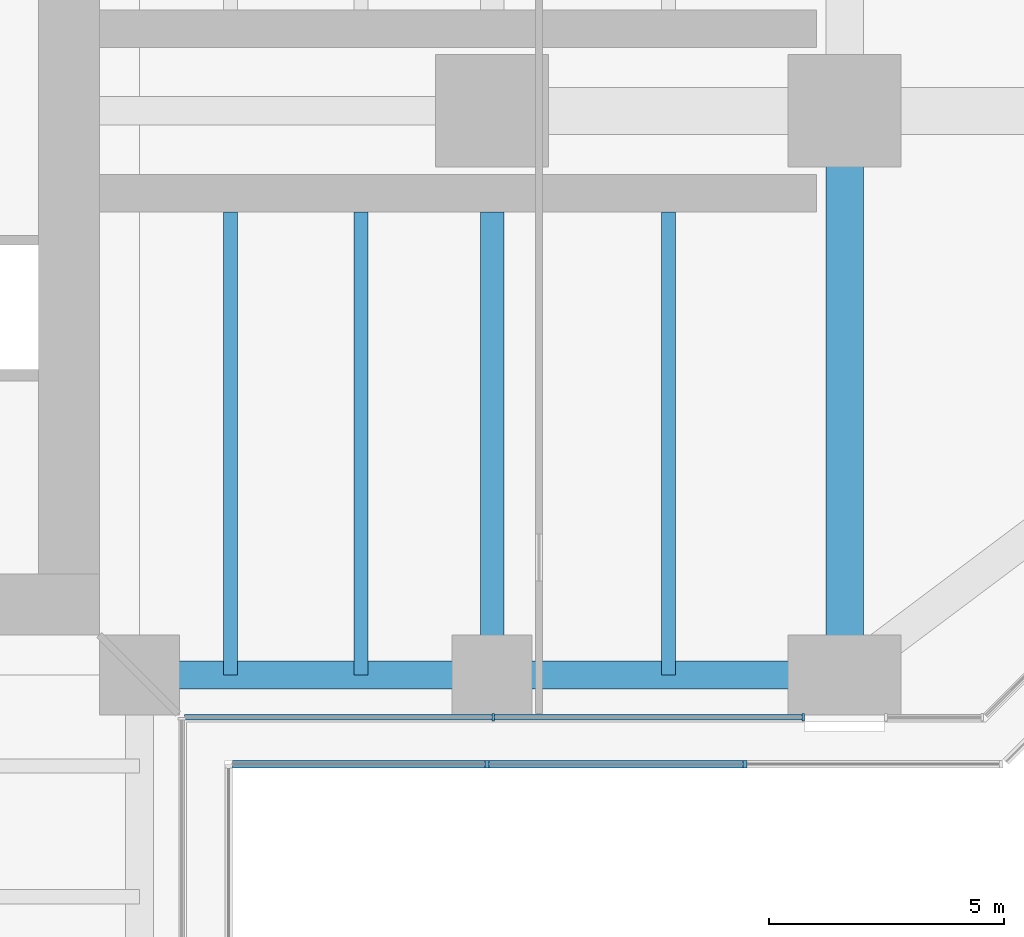
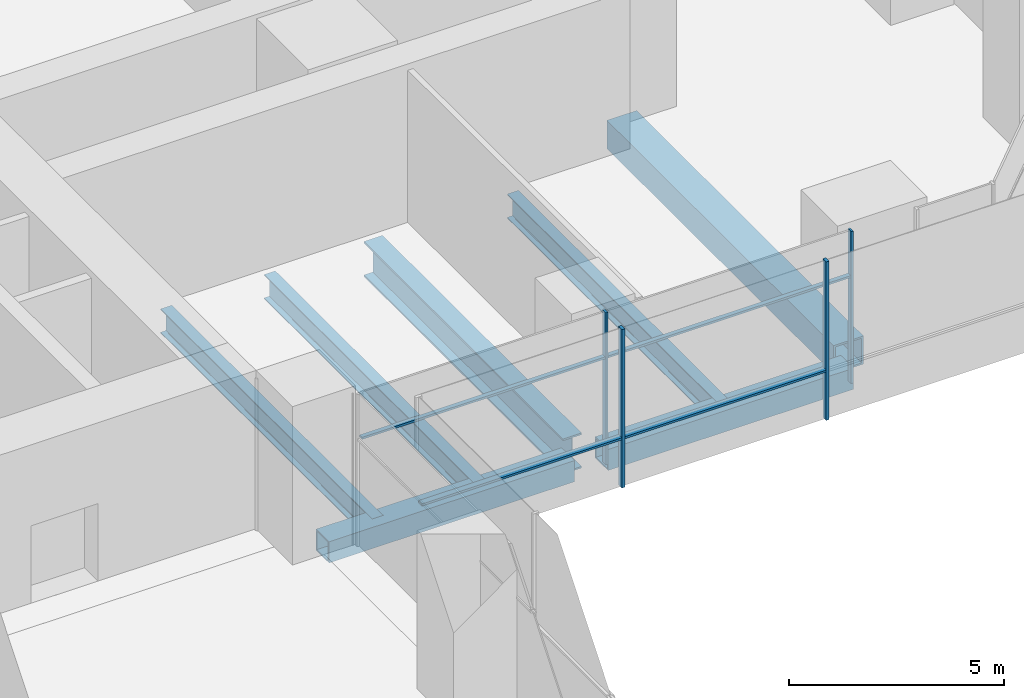
# One storey, part 6 of 27: 8 members, 7 beams, 2 elements without a shape of their own.
"""IFC4 building model written with IfcOpenShell, lengths in metres."""

from ifc_helpers import new_model, si_unit, direction, frame, origin, origin_2d, place, context, subcontext, project, spatial, rectangle, hollow_rectangle, i_section, extrude, material, material_profile, profile_set, type_object, element, aggregate, save


model = new_model("IFC4")

# Units and contexts
model_context = context("Model", 3, precision=1e-05, world=origin(), true_north=direction((0.0, 1.0)))
body_context = subcontext(model_context, "Body", "Model", "MODEL_VIEW")
ifc_project = project(units=[si_unit("LENGTHUNIT", "METRE"), si_unit("AREAUNIT", "SQUARE_METRE"), si_unit("VOLUMEUNIT", "CUBIC_METRE"), si_unit("PLANEANGLEUNIT", "RADIAN"), si_unit("MASSUNIT", "GRAM", prefix="KILO")], contexts=[model_context])

# Site, building, storey
site_placement = place(None, origin())
site = spatial("IfcSite", under=ifc_project, at=site_placement, CompositionType="ELEMENT")
building_placement = place(site_placement, origin())
building = spatial("IfcBuilding", under=site, at=building_placement, Name="Mizan Broadcast Tower", CompositionType="ELEMENT")
storey_placement = place(building_placement, frame((0.0, 0.0, 113.699951171875)))
storey = spatial("IfcBuildingStorey", under=building, at=storey_placement, Name="L25", CompositionType="ELEMENT", Elevation=113.699951171875)

# Beams
ifc_material_1 = material(Name="Steel S355", Category="steel")
ifc_material_profile_1 = material_profile(ifc_material_1, hollow_rectangle(XDim=0.60009765625, YDim=0.60009765625, WallThickness=0.0400390625, at=origin_2d()), Name="BOX 600x600x40")
ifc_profile_set_1 = profile_set([ifc_material_profile_1], Name="Steel S355")
beam_type_1 = type_object("IfcBeamType", Name="EDGE BEAM BOX 600x600x40", PredefinedType="SPANDREL", material=ifc_profile_set_1)
for number, where, z_axis, x_axis, name in (
    (1, (12.449951171875, -12.0, -0.429931640625), (1.0, 0.0, 0.0), (0.0, 1.0, 0.0), "Edge beam BOX 600x600x40 L25 east arm"),
    (2, (19.949951171875, -12.0, -0.429931640625), (1.0, 0.0, 0.0), (0.0, 1.0, 0.0), "Edge beam BOX 600x600x40 L25 east arm"),
):
    element("IfcBeam", number, at=place(storey_placement, frame(where, z_axis=z_axis, x_axis=x_axis)), inside=storey, type_object=beam_type_1, Name=name, PredefinedType="SPANDREL", context=body_context, shape_type="SweptSolid", body=[
        extrude(hollow_rectangle(XDim=0.60009765625, YDim=0.60009765625, WallThickness=0.0400390625, at=origin_2d()), origin(), (0.0, 0.0, 1.0), 6.60009765625),
    ])
ifc_material_2 = material(Name="Steel S460", Category="steel")
ifc_material_profile_2 = material_profile(ifc_material_2, hollow_rectangle(XDim=0.800048828125, YDim=0.800048828125, WallThickness=0.050048828125, at=origin_2d()), Name="BOX 800x800x50")
ifc_profile_set_2 = profile_set([ifc_material_profile_2], Name="Steel S460")
beam_type_2 = type_object("IfcBeamType", Name="GIRDER BOX 800x800x50", PredefinedType="BEAM", material=ifc_profile_set_2)
beam_1_placement = place(storey_placement, frame((27.0, -11.280029296875, -0.530029296875), z_axis=(0.0, 1.0, 0.0), x_axis=(-1.0, 0.0, 0.0)))
element("IfcBeam", 3, at=beam_1_placement, inside=storey, type_object=beam_type_2, Name="Girder BOX 800x800x50 L25 east arm", PredefinedType="BEAM", context=body_context, shape_type="SweptSolid", body=[
    extrude(hollow_rectangle(XDim=0.800048828125, YDim=0.800048828125, WallThickness=0.050048828125, at=origin_2d()), origin(), (0.0, 0.0, 1.0), 10.56005859375),
])
ifc_material_3 = material(Name="Steel S460", Category="steel")
ifc_material_profile_3 = material_profile(ifc_material_3, i_section(OverallWidth=0.5, OverallDepth=1.0, WebThickness=0.02490234375, FlangeThickness=0.050048828125, at=origin_2d()), Name="WPG 1000x500")
ifc_profile_set_3 = profile_set([ifc_material_profile_3], Name="Steel S460")
beam_type_3 = type_object("IfcBeamType", Name="GIRDER WPG 1000x500", PredefinedType="BEAM", material=ifc_profile_set_3)
beam_2_placement = place(storey_placement, frame((19.5, -11.408935546875, -0.6298828125), z_axis=(0.0, 1.0, 0.0), x_axis=(-1.0, 0.0, 0.0)))
element("IfcBeam", 4, at=beam_2_placement, inside=storey, type_object=beam_type_3, Name="Girder WPG 1000x500 L25 east arm", PredefinedType="BEAM", context=body_context, shape_type="SweptSolid", body=[
    extrude(i_section(OverallWidth=0.5, OverallDepth=1.0, WebThickness=0.02490234375, FlangeThickness=0.050048828125, at=origin_2d()), origin(), (0.0, 0.0, 1.0), 9.259033203125),
])

# Curtain wall, members
ifc_material_4 = material(Name="Aluminium framed glazing", Category="aluminium")
curtain_wall_type_1 = type_object("IfcCurtainWallType", Name="INNER SKIN MID ZONE", PredefinedType="USERDEFINED", material=ifc_material_4)
curtain_wall_1_placement = place(storey_placement, origin())
curtain_wall_1 = element("IfcCurtainWall", 5, at=curtain_wall_1_placement, inside=storey, type_object=curtain_wall_type_1, Name="Inner skin mid zone L25 E side", ObjectType="INNER SKIN MID ZONE", PredefinedType="USERDEFINED")
ifc_material_5 = material(Name="Aluminium, pale anodised", Category="aluminium")
ifc_material_profile_4 = material_profile(ifc_material_5, rectangle(XDim=0.159912109375, YDim=0.06005859375, at=origin_2d()), Name="MULLION 160x60")
ifc_profile_set_4 = profile_set([ifc_material_profile_4], Name="Aluminium, pale anodised")
member_type_1 = type_object("IfcMemberType", Name="INNER SKIN MULLION 60x160", PredefinedType="MULLION", material=ifc_profile_set_4)
member_1_placement = place(storey_placement, frame((19.52490234375, -12.89990234375, 0.0), z_axis=(0.0, 0.0, 1.0), x_axis=(0.0, 1.0, 0.0)))
member_1 = element("IfcMember", 6, at=member_1_placement, type_object=member_type_1, Name="Inner skin mid zone L25 E side mullion 2", PredefinedType="MULLION", context=body_context, shape_type="SweptSolid", body=[
    extrude(rectangle(XDim=0.159912109375, YDim=0.06005859375, at=origin_2d()), origin(), (0.0, 0.0, 1.0), 4.320068359375),
])
member_2_placement = place(storey_placement, frame((26.1201171875, -12.89990234375, 0.0), z_axis=(0.0, 0.0, 1.0), x_axis=(0.0, 1.0, 0.0)))
member_2 = element("IfcMember", 7, at=member_2_placement, type_object=member_type_1, Name="Inner skin mid zone L25 E side mullion 3", PredefinedType="MULLION", context=body_context, shape_type="SweptSolid", body=[
    extrude(rectangle(XDim=0.159912109375, YDim=0.06005859375, at=origin_2d()), origin(), (0.0, 0.0, 1.0), 4.320068359375),
])
ifc_material_6 = material(Name="Aluminium, pale anodised", Category="aluminium")
ifc_material_profile_5 = material_profile(ifc_material_6, rectangle(XDim=0.1201171875, YDim=0.06005859375, at=origin_2d()), Name="TRANSOM 120x60")
ifc_profile_set_5 = profile_set([ifc_material_profile_5], Name="Aluminium, pale anodised")
member_type_2 = type_object("IfcMemberType", Name="INNER SKIN TRANSOM 60x120", PredefinedType="USERDEFINED", material=ifc_profile_set_5)
member_3_placement = place(storey_placement, frame((12.9599609375, -12.89990234375, 3.030029296875), z_axis=(1.0, 0.0, 0.0), x_axis=(0.0, 1.0, 0.0)))
member_3 = element("IfcMember", 8, at=member_3_placement, type_object=member_type_2, Name="Inner skin mid zone L25 E side transom 1.1", ObjectType="TRANSOM", PredefinedType="USERDEFINED", context=body_context, shape_type="SweptSolid", body=[
    extrude(rectangle(XDim=0.1201171875, YDim=0.06005859375, at=origin_2d()), origin(), (0.0, 0.0, 1.0), 6.53515625),
])
member_4_placement = place(storey_placement, frame((19.554931640625, -12.89990234375, 3.030029296875), z_axis=(1.0, 0.0, 0.0), x_axis=(0.0, 1.0, 0.0)))
member_4 = element("IfcMember", 9, at=member_4_placement, type_object=member_type_2, Name="Inner skin mid zone L25 E side transom 2.1", ObjectType="TRANSOM", PredefinedType="USERDEFINED", context=body_context, shape_type="SweptSolid", body=[
    extrude(rectangle(XDim=0.1201171875, YDim=0.06005859375, at=origin_2d()), origin(), (0.0, 0.0, 1.0), 6.53515625),
])
aggregate(curtain_wall_1, [member_1, member_2, member_3, member_4])

ifc_material_7 = material(Name="Aluminium framed glazing", Category="aluminium")
curtain_wall_type_2 = type_object("IfcCurtainWallType", Name="OUTER SKIN", PredefinedType="USERDEFINED", material=ifc_material_7)
curtain_wall_2_placement = place(storey_placement, origin())
curtain_wall_2 = element("IfcCurtainWall", 10, at=curtain_wall_2_placement, inside=storey, type_object=curtain_wall_type_2, Name="Outer skin L25 E side", ObjectType="OUTER SKIN", PredefinedType="USERDEFINED")
ifc_material_8 = material(Name="Aluminium, pale anodised", Category="aluminium")
ifc_material_profile_6 = material_profile(ifc_material_8, rectangle(XDim=0.159912109375, YDim=0.080078125, at=origin_2d()), Name="MULLION 160x80")
ifc_profile_set_6 = profile_set([ifc_material_profile_6], Name="Aluminium, pale anodised")
member_type_3 = type_object("IfcMemberType", Name="OUTER SKIN MULLION 80x160", PredefinedType="MULLION", material=ifc_profile_set_6)
member_5_placement = place(storey_placement, frame((19.390869140625, -13.89990234375, 0.0), z_axis=(0.0, 0.0, 1.0), x_axis=(0.0, 1.0, 0.0)))
member_5 = element("IfcMember", 11, at=member_5_placement, type_object=member_type_3, Name="Outer skin L25 E side mullion 2", PredefinedType="MULLION", context=body_context, shape_type="SweptSolid", body=[
    extrude(rectangle(XDim=0.159912109375, YDim=0.080078125, at=origin_2d()), origin(), (0.0, 0.0, 1.0), 4.5),
])
member_6_placement = place(storey_placement, frame((24.8818359375, -13.89990234375, 0.0), z_axis=(0.0, 0.0, 1.0), x_axis=(0.0, 1.0, 0.0)))
member_6 = element("IfcMember", 12, at=member_6_placement, type_object=member_type_3, Name="Outer skin L25 E side mullion 3", PredefinedType="MULLION", context=body_context, shape_type="SweptSolid", body=[
    extrude(rectangle(XDim=0.159912109375, YDim=0.080078125, at=origin_2d()), origin(), (0.0, 0.0, 1.0), 4.5),
])
ifc_material_9 = material(Name="Aluminium, pale anodised", Category="aluminium")
ifc_material_profile_7 = material_profile(ifc_material_9, rectangle(XDim=0.159912109375, YDim=0.06005859375, at=origin_2d()), Name="TRANSOM 160x60")
ifc_profile_set_7 = profile_set([ifc_material_profile_7], Name="Aluminium, pale anodised")
member_type_4 = type_object("IfcMemberType", Name="OUTER SKIN TRANSOM 60x160", PredefinedType="USERDEFINED", material=ifc_profile_set_7)
member_7_placement = place(storey_placement, frame((13.97998046875, -13.89990234375, 1.400146484375), z_axis=(1.0, 0.0, 0.0), x_axis=(0.0, 1.0, 0.0)))
member_7 = element("IfcMember", 13, at=member_7_placement, type_object=member_type_4, Name="Outer skin L25 E side transom 1.1", ObjectType="TRANSOM", PredefinedType="USERDEFINED", context=body_context, shape_type="SweptSolid", body=[
    extrude(rectangle(XDim=0.159912109375, YDim=0.06005859375, at=origin_2d()), origin(), (0.0, 0.0, 1.0), 5.370849609375),
])
member_8_placement = place(storey_placement, frame((19.430908203125, -13.89990234375, 1.400146484375), z_axis=(1.0, 0.0, 0.0), x_axis=(0.0, 1.0, 0.0)))
member_8 = element("IfcMember", 14, at=member_8_placement, type_object=member_type_4, Name="Outer skin L25 E side transom 2.1", ObjectType="TRANSOM", PredefinedType="USERDEFINED", context=body_context, shape_type="SweptSolid", body=[
    extrude(rectangle(XDim=0.159912109375, YDim=0.06005859375, at=origin_2d()), origin(), (0.0, 0.0, 1.0), 5.410888671875),
])
aggregate(curtain_wall_2, [member_5, member_6, member_7, member_8])

# Beams
ifc_material_10 = material(Name="Steel S355", Category="steel")
ifc_material_profile_8 = material_profile(ifc_material_10, i_section(OverallWidth=0.300048828125, OverallDepth=0.68994140625, WebThickness=0.014404296875, FlangeThickness=0.027099609375, FilletRadius=0.027099609375, at=origin_2d()), Name="HEA 700")
ifc_profile_set_8 = profile_set([ifc_material_profile_8], Name="Steel S355")
beam_type_4 = type_object("IfcBeamType", Name="SECONDARY BEAM HEA 700", PredefinedType="JOIST", material=ifc_profile_set_8)
for number, where, z_axis, x_axis, name in (
    (15, (13.933349609375, -12.0, -0.474853515625), (0.0, 1.0, 0.0), (-1.0, 0.0, 0.0), "Secondary beam HEA 700 L25 east arm"),
    (16, (16.716552734375, -12.0, -0.474853515625), (0.0, 1.0, 0.0), (-1.0, 0.0, 0.0), "Secondary beam HEA 700 L25 east arm"),
    (17, (23.25, -12.0, -0.474853515625), (0.0, 1.0, 0.0), (-1.0, 0.0, 0.0), "Secondary beam HEA 700 L25 east arm"),
):
    element("IfcBeam", number, at=place(storey_placement, frame(where, z_axis=z_axis, x_axis=x_axis)), inside=storey, type_object=beam_type_4, Name=name, PredefinedType="JOIST", context=body_context, shape_type="SweptSolid", body=[
        extrude(i_section(OverallWidth=0.300048828125, OverallDepth=0.68994140625, WebThickness=0.014404296875, FlangeThickness=0.027099609375, FilletRadius=0.027099609375, at=origin_2d()), origin(), (0.0, 0.0, 1.0), 9.85009765625),
    ])

save(model, "model.ifc")
